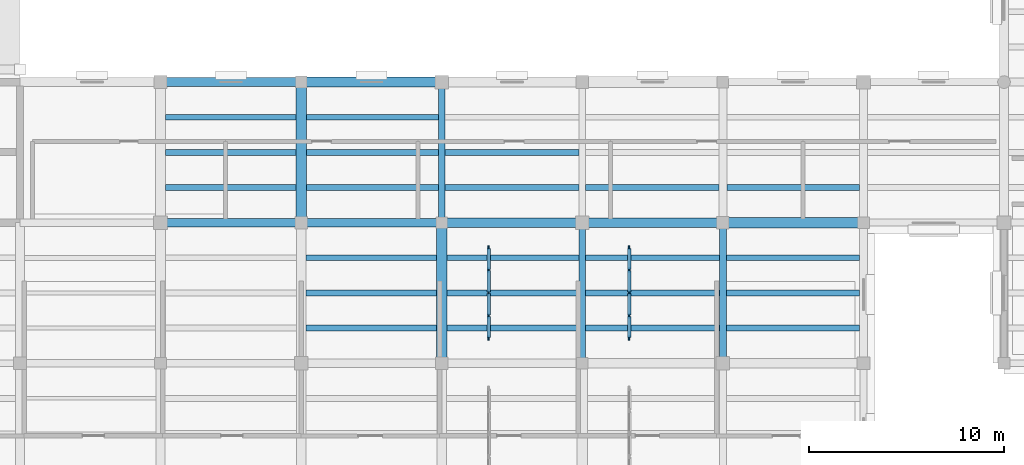
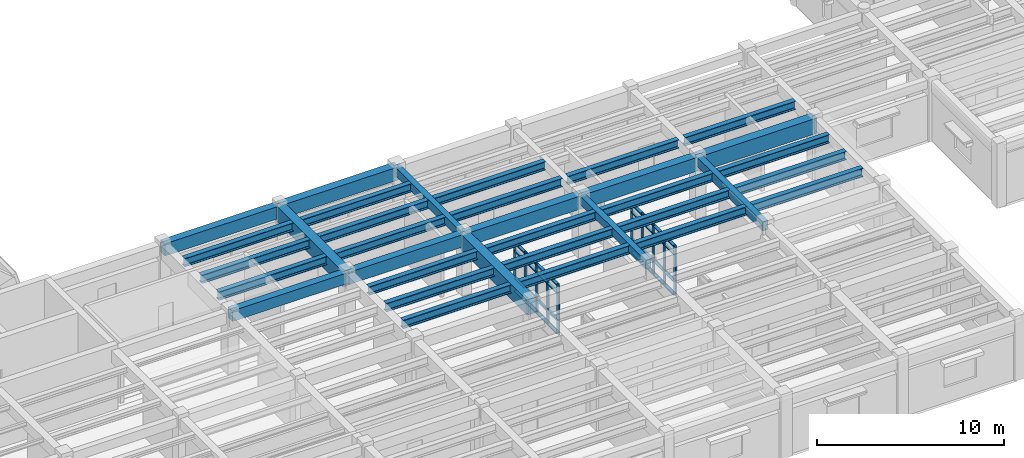
# One storey, part 9 of 66: 42 members, 34 beams, 2 elements without a shape of their own.
"""IFC4 building model written with IfcOpenShell, lengths in metres."""

import ifcopenshell
import ifcopenshell.guid

model = None  # the IFC model being written
_history = None  # IfcOwnerHistory: only IFC2X3 demands one
_inside = {}  # id of a spatial element -> (the spatial element, [elements in it])
_under = {}  # id of a project, library or spatial element -> (it, [spatial elements below it])
_declared = {}  # id of a project -> (the project, [libraries it declares])
_typed = {}  # id of a type object -> (the type object, [elements of that type])
_made_of = {}  # id of a material, layer set ... -> (it, [elements and type objects made of it])


def new_model(schema):
    """Start an empty IFC model of exactly this schema.

    Asked for "IFC4X3", IfcOpenShell would pick the latest addendum, in which some entities
    have other attributes; the version numbers below select the first issue.
    IFC2X3 requires an IfcOwnerHistory on every rooted entity: one is made here for all.
    """
    global model, _history
    if schema == "IFC4X3":
        model = ifcopenshell.file(schema_version=(4, 3, 0, 0))
    else:
        model = ifcopenshell.file(schema=schema)
    _inside.clear()
    _under.clear()
    _declared.clear()
    _typed.clear()
    _made_of.clear()
    _history = None
    if model.schema == "IFC2X3":
        org = make("IfcOrganization", Name="unknown")
        user = make(
            "IfcPersonAndOrganization",
            ThePerson=make("IfcPerson", FamilyName="unknown"),
            TheOrganization=org,
        )
        app = make(
            "IfcApplication",
            ApplicationDeveloper=org,
            Version="unknown",
            ApplicationFullName="unknown",
            ApplicationIdentifier="unknown",
        )
        _history = make(
            "IfcOwnerHistory",
            OwningUser=user,
            OwningApplication=app,
            ChangeAction="ADDED",
            CreationDate=0,
        )
    return model


def make(cls, **values):
    """One entity of the class cls with the attributes given. An attribute that is None is left unset."""
    return model.create_entity(
        cls, **{name: value for name, value in values.items() if value is not None}
    )


def rooted(cls, **values):
    """An entity with a GlobalId (a new one), such as an element, a storey or a relation."""
    return make(cls, GlobalId=ifcopenshell.guid.new(), OwnerHistory=_history, **values)


def si_unit(unit_type, name, prefix=None):
    """IfcSIUnit, for example si_unit("LENGTHUNIT", "METRE", prefix="MILLI")."""
    return make("IfcSIUnit", UnitType=unit_type, Prefix=prefix, Name=name)


def assignment(units):
    """IfcUnitAssignment: the units of a project."""
    return None if units is None else make("IfcUnitAssignment", Units=units)


def point(xyz):
    """IfcCartesianPoint."""
    return None if xyz is None else make("IfcCartesianPoint", Coordinates=xyz)


def direction(xyz):
    """IfcDirection."""
    return None if xyz is None else make("IfcDirection", DirectionRatios=xyz)


def frame(location, z_axis=None, x_axis=None):
    """IfcAxis2Placement3D, a coordinate frame: its origin and axes. An axis left out is left unset."""
    return make(
        "IfcAxis2Placement3D",
        Location=point(location),
        Axis=direction(z_axis),
        RefDirection=direction(x_axis),
    )


def frame_2d(location, x_axis=None):
    """IfcAxis2Placement2D, a coordinate frame in the plane: its origin and x axis."""
    return make(
        "IfcAxis2Placement2D", Location=point(location), RefDirection=direction(x_axis)
    )


def origin():
    """The frame at (0, 0, 0) with its axes left unset."""
    return frame((0.0, 0.0, 0.0))


def origin_2d():
    """The frame at (0, 0) in the plane with its x axis left unset."""
    return frame_2d((0.0, 0.0))


def place(relative_to, where):
    """IfcLocalPlacement: puts the frame where relative to a parent placement (None: the world)."""
    return make(
        "IfcLocalPlacement", PlacementRelTo=relative_to, RelativePlacement=where
    )


def context(
    kind, dimensions, precision=None, world=None, true_north=None, identifier=None
):
    """IfcGeometricRepresentationContext, for example the 3D "Model" context."""
    return make(
        "IfcGeometricRepresentationContext",
        ContextIdentifier=identifier,
        ContextType=kind,
        CoordinateSpaceDimension=dimensions,
        Precision=precision,
        WorldCoordinateSystem=world,
        TrueNorth=true_north,
    )


def subcontext(parent, identifier, kind, view, scale=None):
    """IfcGeometricRepresentationSubContext, for example "Body" below "Model"."""
    return make(
        "IfcGeometricRepresentationSubContext",
        ContextIdentifier=identifier,
        ContextType=kind,
        ParentContext=parent,
        TargetScale=scale,
        TargetView=view,
    )


def project(units=None, contexts=None):
    """IfcProject with its units and contexts."""
    return rooted(
        "IfcProject",
        Name="project",
        RepresentationContexts=contexts,
        UnitsInContext=assignment(units),
    )


def spatial(cls, under=None, at=None, **own):
    """A site, building, storey or space (cls), placed at a placement, below another one or the project."""
    s = rooted(cls, ObjectPlacement=at, **own)
    if under is not None:
        _under.setdefault(under.id(), (under, []))[1].append(s)
    return s


def profile(cls, at=None, kind="AREA", **sizes):
    """A parametric profile (cls). Its sizes go by their IFC names, for example OverallWidth=200.0."""
    return make(cls, ProfileType=kind, Position=at, **sizes)


def rectangle(**sizes):
    """IfcRectangleProfileDef."""
    return profile("IfcRectangleProfileDef", **sizes)


def i_section(**sizes):
    """IfcIShapeProfileDef."""
    return profile("IfcIShapeProfileDef", **sizes)


def extrude(swept, where, along, depth):
    """IfcExtrudedAreaSolid: the profile swept, set in the frame where, extruded along a direction by depth."""
    return make(
        "IfcExtrudedAreaSolid",
        SweptArea=swept,
        Position=where,
        ExtrudedDirection=direction(along),
        Depth=depth,
    )


def shape(context_of_items, identifier, shape_type, items):
    """IfcShapeRepresentation: the items that make up one representation, for example the "Body"."""
    return make(
        "IfcShapeRepresentation",
        ContextOfItems=context_of_items,
        RepresentationIdentifier=identifier,
        RepresentationType=shape_type,
        Items=items,
    )


def material(Name=None, Category=None):
    """IfcMaterial."""
    return make("IfcMaterial", Name=Name, Category=Category)


def material_profile(
    of_material, cross_section, Name=None, Category=None, Priority=None
):
    """IfcMaterialProfile: a cross section and its material."""
    return make(
        "IfcMaterialProfile",
        Name=Name,
        Material=of_material,
        Profile=cross_section,
        Priority=Priority,
        Category=Category,
    )


def profile_set(profiles, Name=None, composite=None):
    """IfcMaterialProfileSet."""
    return make(
        "IfcMaterialProfileSet",
        Name=Name,
        MaterialProfiles=profiles,
        CompositeProfile=composite,
    )


def made_of(thing, what):
    """Note that an element or type object is made of a material, layer set ...; save() writes the relation."""
    if what is not None:
        _made_of.setdefault(what.id(), (what, []))[1].append(thing)
    return thing


def type_object(cls, material=None, **own):
    """A type object (cls), such as IfcWallType, which elements share."""
    return made_of(rooted(cls, **own), material)


def element(
    cls,
    number,
    at=None,
    inside=None,
    cuts=None,
    type_object=None,
    material=None,
    context=None,
    identifier="Body",
    shape_type=None,
    held_by="IfcProductDefinitionShape",
    body=None,
    shapes=None,
    **own,
):
    """One element of the class cls, such as IfcWall. Its Tag is "e" and its number.

    at: its placement. inside: the storey or other place that contains it. cuts: it is an
    opening in that element (IfcRelVoidsElement). A single representation is given by context,
    identifier, shape_type and body (its items); several are given by shapes. held_by: the class
    of the entity that holds the representations. save() writes the other relations.
    """
    e = rooted(cls, Tag="e%d" % number, ObjectPlacement=at, **own)
    if body is not None:
        shapes = [shape(context, identifier, shape_type, body)]
    if shapes is not None:
        e.Representation = make(held_by, Representations=shapes)
    if inside is not None:
        _inside.setdefault(inside.id(), (inside, []))[1].append(e)
    if cuts is not None:
        rooted(
            "IfcRelVoidsElement", RelatingBuildingElement=cuts, RelatedOpeningElement=e
        )
    if type_object is not None:
        _typed.setdefault(type_object.id(), (type_object, []))[1].append(e)
    return made_of(e, material)


def aggregate(whole, parts):
    """IfcRelAggregates: a whole, such as a stair, and the parts it consists of."""
    return rooted("IfcRelAggregates", RelatingObject=whole, RelatedObjects=parts)


def save(model, path):
    """Write the relations noted so far, then the file.

    IfcRelAggregates (storeys below a building ...), IfcRelContainedInSpatialStructure (elements
    in a storey), IfcRelDefinesByType, IfcRelAssociatesMaterial and IfcRelDeclares: one each for
    every whole, place, type object, material and project.
    """
    for whole, parts in _under.values():
        aggregate(whole, parts)
    for where, things in _inside.values():
        rooted(
            "IfcRelContainedInSpatialStructure",
            RelatedElements=things,
            RelatingStructure=where,
        )
    for kind, things in _typed.values():
        rooted("IfcRelDefinesByType", RelatedObjects=things, RelatingType=kind)
    for what, things in _made_of.values():
        rooted("IfcRelAssociatesMaterial", RelatedObjects=things, RelatingMaterial=what)
    for by, libraries in _declared.values():
        rooted("IfcRelDeclares", RelatingContext=by, RelatedDefinitions=libraries)
    model.write(path)


model = new_model("IFC4")

# Units and contexts
model_context = context("Model", 3, precision=1e-05, world=origin(), true_north=direction((0.0, 1.0)))
body_context = subcontext(model_context, "Body", "Model", "MODEL_VIEW")
ifc_project = project(units=[si_unit("LENGTHUNIT", "METRE"), si_unit("AREAUNIT", "SQUARE_METRE"), si_unit("VOLUMEUNIT", "CUBIC_METRE"), si_unit("PLANEANGLEUNIT", "RADIAN"), si_unit("MASSUNIT", "GRAM", prefix="KILO")], contexts=[model_context])

# Site, building, storey
site_placement = place(None, origin())
site = spatial("IfcSite", under=ifc_project, at=site_placement, CompositionType="ELEMENT")
building_placement = place(site_placement, origin())
building = spatial("IfcBuilding", under=site, at=building_placement, Name="Mithqara Police Headquarters", CompositionType="ELEMENT")
storey_placement = place(building_placement, frame((0.0, 0.0, 9.60009765625)))
storey = spatial("IfcBuildingStorey", under=building, at=storey_placement, Name="L02", CompositionType="ELEMENT", Elevation=9.60009765625)

# Beams
ifc_material_1 = material(Name="Steel S355JR", Category="steel")
ifc_material_profile_1 = material_profile(ifc_material_1, i_section(OverallWidth=0.300048828125, OverallDepth=0.550048828125, WebThickness=0.014892578125, FlangeThickness=0.029052734375, FilletRadius=0.027099609375, at=origin_2d()), Name="HEB 550")
ifc_profile_set_1 = profile_set([ifc_material_profile_1], Name="Steel S355JR")
beam_type_1 = type_object("IfcBeamType", Name="BEAM HEB550", PredefinedType="BEAM", material=ifc_profile_set_1)
for number, where, z_axis, x_axis, name in (
    (1, (101.64990234375, 30.0, 3.664794921875), (1.0, 0.0, 0.0), (0.0, 1.0, 0.0), "L02 Composite Steel Joist 15-16/E.1"),
    (2, (101.64990234375, 31.800048828125, 3.664794921875), (1.0, 0.0, 0.0), (0.0, 1.0, 0.0), "L02 Composite Steel Joist 15-16/E.2"),
    (3, (101.64990234375, 33.60009765625, 3.664794921875), (1.0, 0.0, 0.0), (0.0, 1.0, 0.0), "L02 Composite Steel Joist 15-16/E.3"),
):
    element("IfcBeam", number, at=place(storey_placement, frame(where, z_axis=z_axis, x_axis=x_axis)), inside=storey, type_object=beam_type_1, Name=name, PredefinedType="BEAM", context=body_context, shape_type="SweptSolid", body=[
        extrude(i_section(OverallWidth=0.300048828125, OverallDepth=0.550048828125, WebThickness=0.014892578125, FlangeThickness=0.029052734375, FilletRadius=0.027099609375, at=origin_2d()), origin(), (0.0, 0.0, 1.0), 6.675048828125),
    ])
for number, where, z_axis, x_axis, name in (
    (4, (108.85009765625, 22.800048828125, 3.664794921875), (1.0, 0.0, 0.0), (0.0, 1.0, 0.0), "L02 Composite Steel Joist 16-17/D.1"),
    (5, (108.85009765625, 24.60009765625, 3.664794921875), (1.0, 0.0, 0.0), (0.0, 1.0, 0.0), "L02 Composite Steel Joist 16-17/D.2"),
    (6, (108.85009765625, 26.39990234375, 3.664794921875), (1.0, 0.0, 0.0), (0.0, 1.0, 0.0), "L02 Composite Steel Joist 16-17/D.3"),
):
    element("IfcBeam", number, at=place(storey_placement, frame(where, z_axis=z_axis, x_axis=x_axis)), inside=storey, type_object=beam_type_1, Name=name, PredefinedType="BEAM", context=body_context, shape_type="SweptSolid", body=[
        extrude(i_section(OverallWidth=0.300048828125, OverallDepth=0.550048828125, WebThickness=0.014892578125, FlangeThickness=0.029052734375, FilletRadius=0.027099609375, at=origin_2d()), origin(), (0.0, 0.0, 1.0), 6.6748046875),
    ])
for number, where, z_axis, x_axis, name in (
    (7, (108.875, 30.0, 3.664794921875), (1.0, 0.0, 0.0), (0.0, 1.0, 0.0), "L02 Composite Steel Joist 16-17/E.1"),
    (8, (108.875, 31.800048828125, 3.664794921875), (1.0, 0.0, 0.0), (0.0, 1.0, 0.0), "L02 Composite Steel Joist 16-17/E.2"),
    (9, (108.875, 33.60009765625, 3.664794921875), (1.0, 0.0, 0.0), (0.0, 1.0, 0.0), "L02 Composite Steel Joist 16-17/E.3"),
    (10, (116.074951171875, 22.800048828125, 3.664794921875), (1.0, 0.0, 0.0), (0.0, 1.0, 0.0), "L02 Composite Steel Joist 17-18/D.1"),
    (11, (116.074951171875, 24.60009765625, 3.664794921875), (1.0, 0.0, 0.0), (0.0, 1.0, 0.0), "L02 Composite Steel Joist 17-18/D.2"),
    (12, (116.074951171875, 26.39990234375, 3.664794921875), (1.0, 0.0, 0.0), (0.0, 1.0, 0.0), "L02 Composite Steel Joist 17-18/D.3"),
):
    element("IfcBeam", number, at=place(storey_placement, frame(where, z_axis=z_axis, x_axis=x_axis)), inside=storey, type_object=beam_type_1, Name=name, PredefinedType="BEAM", context=body_context, shape_type="SweptSolid", body=[
        extrude(i_section(OverallWidth=0.300048828125, OverallDepth=0.550048828125, WebThickness=0.014892578125, FlangeThickness=0.029052734375, FilletRadius=0.027099609375, at=origin_2d()), origin(), (0.0, 0.0, 1.0), 6.75),
    ])
for number, where, z_axis, x_axis, name in (
    (13, (115.97509765625, 30.0, 3.664794921875), (1.0, 0.0, 0.0), (0.0, 1.0, 0.0), "L02 Composite Steel Joist 17-18/E.1"),
    (14, (115.97509765625, 31.800048828125, 3.664794921875), (1.0, 0.0, 0.0), (0.0, 1.0, 0.0), "L02 Composite Steel Joist 17-18/E.2"),
    (15, (123.175048828125, 22.800048828125, 3.664794921875), (1.0, 0.0, 0.0), (0.0, 1.0, 0.0), "L02 Composite Steel Joist 18-19/D.1"),
    (16, (123.175048828125, 24.60009765625, 3.664794921875), (1.0, 0.0, 0.0), (0.0, 1.0, 0.0), "L02 Composite Steel Joist 18-19/D.2"),
    (17, (123.175048828125, 26.39990234375, 3.664794921875), (1.0, 0.0, 0.0), (0.0, 1.0, 0.0), "L02 Composite Steel Joist 18-19/D.3"),
):
    element("IfcBeam", number, at=place(storey_placement, frame(where, z_axis=z_axis, x_axis=x_axis)), inside=storey, type_object=beam_type_1, Name=name, PredefinedType="BEAM", context=body_context, shape_type="SweptSolid", body=[
        extrude(i_section(OverallWidth=0.300048828125, OverallDepth=0.550048828125, WebThickness=0.014892578125, FlangeThickness=0.029052734375, FilletRadius=0.027099609375, at=origin_2d()), origin(), (0.0, 0.0, 1.0), 6.849853515625),
    ])
for number, where, z_axis, x_axis, name in (
    (18, (123.175048828125, 30.0, 3.664794921875), (1.0, 0.0, 0.0), (0.0, 1.0, 0.0), "L02 Composite Steel Joist 18-19/E.1"),
    (19, (130.375, 22.800048828125, 3.664794921875), (1.0, 0.0, 0.0), (0.0, 1.0, 0.0), "L02 Composite Steel Joist 19-20/D.1"),
    (20, (130.375, 24.60009765625, 3.664794921875), (1.0, 0.0, 0.0), (0.0, 1.0, 0.0), "L02 Composite Steel Joist 19-20/D.2"),
    (21, (130.375, 26.39990234375, 3.664794921875), (1.0, 0.0, 0.0), (0.0, 1.0, 0.0), "L02 Composite Steel Joist 19-20/D.3"),
):
    element("IfcBeam", number, at=place(storey_placement, frame(where, z_axis=z_axis, x_axis=x_axis)), inside=storey, type_object=beam_type_1, Name=name, PredefinedType="BEAM", context=body_context, shape_type="SweptSolid", body=[
        extrude(i_section(OverallWidth=0.300048828125, OverallDepth=0.550048828125, WebThickness=0.014892578125, FlangeThickness=0.029052734375, FilletRadius=0.027099609375, at=origin_2d()), origin(), (0.0, 0.0, 1.0), 6.824951171875),
    ])
beam_1_placement = place(storey_placement, frame((130.39990234375, 30.0, 3.664794921875), z_axis=(1.0, 0.0, 0.0), x_axis=(0.0, 1.0, 0.0)))
element("IfcBeam", 22, at=beam_1_placement, inside=storey, type_object=beam_type_1, Name="L02 Composite Steel Joist 19-20/E.1", PredefinedType="BEAM", context=body_context, shape_type="SweptSolid", body=[
    extrude(i_section(OverallWidth=0.300048828125, OverallDepth=0.550048828125, WebThickness=0.014892578125, FlangeThickness=0.029052734375, FilletRadius=0.027099609375, at=origin_2d()), origin(), (0.0, 0.0, 1.0), 6.800048828125),
])
ifc_material_2 = material(Name="Concrete C40/50", Category="concrete")
ifc_material_profile_2 = material_profile(ifc_material_2, rectangle(XDim=0.35009765625, YDim=0.550048828125, at=origin_2d()), Name="RC 350x550")
ifc_profile_set_2 = profile_set([ifc_material_profile_2], Name="Concrete C40/50")
beam_type_2 = type_object("IfcBeamType", Name="BEAM RC350X550", PredefinedType="BEAM", material=ifc_profile_set_2)
for number, where, z_axis, x_axis, name in (
    (23, (115.800048828125, 28.199951171875, 3.664794921875), (0.0, 1.0, 0.0), (-1.0, 0.0, 0.0), "L02 Girder 17/E-F"),
    (24, (123.0, 21.0, 3.664794921875), (0.0, 1.0, 0.0), (-1.0, 0.0, 0.0), "L02 Girder 18/D-E"),
):
    element("IfcBeam", number, at=place(storey_placement, frame(where, z_axis=z_axis, x_axis=x_axis)), inside=storey, type_object=beam_type_2, Name=name, PredefinedType="BEAM", context=body_context, shape_type="SweptSolid", body=[
        extrude(rectangle(XDim=0.35009765625, YDim=0.550048828125, at=origin_2d()), origin(), (0.0, 0.0, 1.0), 7.199951171875),
    ])
ifc_material_profile_3 = material_profile(ifc_material_2, rectangle(XDim=0.35009765625, YDim=0.60009765625, at=origin_2d()), Name="RC 350x600")
ifc_profile_set_3 = profile_set([ifc_material_profile_3], Name="Concrete C40/50")
beam_type_3 = type_object("IfcBeamType", Name="BEAM RC350X600", PredefinedType="BEAM", material=ifc_profile_set_3)
beam_2_placement = place(storey_placement, frame((130.199951171875, 21.0, 3.639892578125), z_axis=(0.0, 1.0, 0.0), x_axis=(-1.0, 0.0, 0.0)))
element("IfcBeam", 25, at=beam_2_placement, inside=storey, type_object=beam_type_3, Name="L02 Girder 19/D-E", PredefinedType="BEAM", context=body_context, shape_type="SweptSolid", body=[
    extrude(rectangle(XDim=0.35009765625, YDim=0.60009765625, at=origin_2d()), origin(), (0.0, 0.0, 1.0), 7.199951171875),
])
ifc_material_profile_4 = material_profile(ifc_material_2, rectangle(XDim=0.449951171875, YDim=0.699951171875, at=origin_2d()), Name="RC 450x700")
ifc_profile_set_4 = profile_set([ifc_material_profile_4], Name="Concrete C40/50")
beam_type_4 = type_object("IfcBeamType", Name="BEAM RC450X700", PredefinedType="BEAM", material=ifc_profile_set_4)
beam_3_placement = place(storey_placement, frame((101.39990234375, 28.199951171875, 3.58984375), z_axis=(1.0, 0.0, 0.0), x_axis=(0.0, 1.0, 0.0)))
element("IfcBeam", 26, at=beam_3_placement, inside=storey, type_object=beam_type_4, Name="L02 Girder 15-16/E", PredefinedType="BEAM", context=body_context, shape_type="SweptSolid", body=[
    extrude(rectangle(XDim=0.449951171875, YDim=0.699951171875, at=origin_2d()), origin(), (0.0, 0.0, 1.0), 7.2001953125),
])
ifc_material_profile_5 = material_profile(ifc_material_2, rectangle(XDim=0.449951171875, YDim=0.800048828125, at=origin_2d()), Name="RC 450x800")
ifc_profile_set_5 = profile_set([ifc_material_profile_5], Name="Concrete C40/50")
beam_type_5 = type_object("IfcBeamType", Name="BEAM RC450X800", PredefinedType="BEAM", material=ifc_profile_set_5)
beam_4_placement = place(storey_placement, frame((101.39990234375, 35.39990234375, 3.539794921875), z_axis=(1.0, 0.0, 0.0), x_axis=(0.0, 1.0, 0.0)))
element("IfcBeam", 27, at=beam_4_placement, inside=storey, type_object=beam_type_5, Name="L02 Girder 15-16/F", PredefinedType="BEAM", context=body_context, shape_type="SweptSolid", body=[
    extrude(rectangle(XDim=0.449951171875, YDim=0.800048828125, at=origin_2d()), origin(), (0.0, 0.0, 1.0), 7.2001953125),
])
beam_5_placement = place(storey_placement, frame((108.60009765625, 28.199951171875, 3.539794921875), z_axis=(1.0, 0.0, 0.0), x_axis=(0.0, 1.0, 0.0)))
element("IfcBeam", 28, at=beam_5_placement, inside=storey, type_object=beam_type_5, Name="L02 Girder 16-17/E", PredefinedType="BEAM", context=body_context, shape_type="SweptSolid", body=[
    extrude(rectangle(XDim=0.449951171875, YDim=0.800048828125, at=origin_2d()), origin(), (0.0, 0.0, 1.0), 7.199951171875),
])
ifc_material_profile_6 = material_profile(ifc_material_2, rectangle(XDim=0.5, YDim=0.85009765625, at=origin_2d()), Name="RC 500x850")
ifc_profile_set_6 = profile_set([ifc_material_profile_6], Name="Concrete C40/50")
beam_type_6 = type_object("IfcBeamType", Name="BEAM RC500X850", PredefinedType="BEAM", material=ifc_profile_set_6)
for number, where, z_axis, x_axis, name in (
    (29, (108.60009765625, 35.39990234375, 3.514892578125), (1.0, 0.0, 0.0), (0.0, 1.0, 0.0), "L02 Girder 16-17/F"),
    (30, (115.800048828125, 28.199951171875, 3.514892578125), (1.0, 0.0, 0.0), (0.0, 1.0, 0.0), "L02 Girder 17-18/E"),
):
    element("IfcBeam", number, at=place(storey_placement, frame(where, z_axis=z_axis, x_axis=x_axis)), inside=storey, type_object=beam_type_6, Name=name, PredefinedType="BEAM", context=body_context, shape_type="SweptSolid", body=[
        extrude(rectangle(XDim=0.5, YDim=0.85009765625, at=origin_2d()), origin(), (0.0, 0.0, 1.0), 7.199951171875),
    ])
ifc_material_3 = material(Name="Concrete C50/60", Category="concrete")
ifc_material_profile_7 = material_profile(ifc_material_3, rectangle(XDim=0.5, YDim=0.89990234375, at=origin_2d()), Name="RC 500x900")
ifc_profile_set_7 = profile_set([ifc_material_profile_7], Name="Concrete C50/60")
beam_type_7 = type_object("IfcBeamType", Name="BEAM RC500X900", PredefinedType="BEAM", material=ifc_profile_set_7)
beam_6_placement = place(storey_placement, frame((123.0, 28.199951171875, 3.489990234375), z_axis=(1.0, 0.0, 0.0), x_axis=(0.0, 1.0, 0.0)))
element("IfcBeam", 31, at=beam_6_placement, inside=storey, type_object=beam_type_7, Name="L02 Girder 18-19/E", PredefinedType="BEAM", context=body_context, shape_type="SweptSolid", body=[
    extrude(rectangle(XDim=0.5, YDim=0.89990234375, at=origin_2d()), origin(), (0.0, 0.0, 1.0), 7.199951171875),
])
ifc_material_profile_8 = material_profile(ifc_material_3, rectangle(XDim=0.550048828125, YDim=1.0, at=origin_2d()), Name="RC 550x1000")
ifc_profile_set_8 = profile_set([ifc_material_profile_8], Name="Concrete C50/60")
beam_type_8 = type_object("IfcBeamType", Name="BEAM RC550X1000", PredefinedType="BEAM", material=ifc_profile_set_8)
for number, where, z_axis, x_axis, name in (
    (32, (108.60009765625, 28.199951171875, 3.43994140625), (0.0, 1.0, 0.0), (-1.0, 0.0, 0.0), "L02 Girder 16/E-F"),
    (33, (115.800048828125, 21.0, 3.43994140625), (0.0, 1.0, 0.0), (-1.0, 0.0, 0.0), "L02 Girder 17/D-E"),
    (34, (130.199951171875, 28.199951171875, 3.43994140625), (1.0, 0.0, 0.0), (0.0, 1.0, 0.0), "L02 Girder 19-20/E"),
):
    element("IfcBeam", number, at=place(storey_placement, frame(where, z_axis=z_axis, x_axis=x_axis)), inside=storey, type_object=beam_type_8, Name=name, PredefinedType="BEAM", context=body_context, shape_type="SweptSolid", body=[
        extrude(rectangle(XDim=0.550048828125, YDim=1.0, at=origin_2d()), origin(), (0.0, 0.0, 1.0), 7.199951171875),
    ])

# Curtain wall, members
ifc_material_4 = material(Name="Bronze anodised aluminium 6063-T6", Category="aluminium")
curtain_wall_type = type_object("IfcCurtainWallType", Name="CURTAIN WALL 4700X3220", PredefinedType="USERDEFINED", material=ifc_material_4)
curtain_wall_1_placement = place(storey_placement, origin())
curtain_wall_1 = element("IfcCurtainWall", 35, at=curtain_wall_1_placement, inside=storey, type_object=curtain_wall_type, Name="L02 Unitised Glazing CW-16 (CW-INT-L02-X16-Y03-0)", ObjectType="UNITISED GLAZING", PredefinedType="USERDEFINED")
ifc_material_profile_9 = material_profile(ifc_material_4, rectangle(XDim=0.074951171875, YDim=0.219970703125, at=origin_2d()), Name="CWM 75x220")
ifc_profile_set_9 = profile_set([ifc_material_profile_9], Name="Bronze anodised aluminium 6063-T6")
member_type_1 = type_object("IfcMemberType", Name="CWMULLION 75X220", PredefinedType="MULLION", material=ifc_profile_set_9)
member_1_placement = place(storey_placement, frame((118.199951171875, 22.28759765625, 0.0), z_axis=(0.0, 0.0, 1.0), x_axis=(-1.0, 0.0, 0.0)))
member_1 = element("IfcMember", 36, at=member_1_placement, type_object=member_type_1, Name="CW-16 mullion 1", PredefinedType="MULLION", context=body_context, shape_type="SweptSolid", body=[
    extrude(rectangle(XDim=0.074951171875, YDim=0.219970703125, at=origin_2d()), origin(), (0.0, 0.0, 1.0), 3.219970703125),
])
member_2_placement = place(storey_placement, frame((118.199951171875, 23.425048828125, 0.0), z_axis=(0.0, 0.0, 1.0), x_axis=(-1.0, 0.0, 0.0)))
member_2 = element("IfcMember", 37, at=member_2_placement, type_object=member_type_1, Name="CW-16 mullion 2", PredefinedType="MULLION", context=body_context, shape_type="SweptSolid", body=[
    extrude(rectangle(XDim=0.074951171875, YDim=0.219970703125, at=origin_2d()), origin(), (0.0, 0.0, 1.0), 3.219970703125),
])
member_3_placement = place(storey_placement, frame((118.199951171875, 24.60009765625, 0.0), z_axis=(0.0, 0.0, 1.0), x_axis=(-1.0, 0.0, 0.0)))
member_3 = element("IfcMember", 38, at=member_3_placement, type_object=member_type_1, Name="CW-16 mullion 3", PredefinedType="MULLION", context=body_context, shape_type="SweptSolid", body=[
    extrude(rectangle(XDim=0.074951171875, YDim=0.219970703125, at=origin_2d()), origin(), (0.0, 0.0, 1.0), 3.219970703125),
])
member_4_placement = place(storey_placement, frame((118.199951171875, 25.77490234375, 0.0), z_axis=(0.0, 0.0, 1.0), x_axis=(-1.0, 0.0, 0.0)))
member_4 = element("IfcMember", 39, at=member_4_placement, type_object=member_type_1, Name="CW-16 mullion 4", PredefinedType="MULLION", context=body_context, shape_type="SweptSolid", body=[
    extrude(rectangle(XDim=0.074951171875, YDim=0.219970703125, at=origin_2d()), origin(), (0.0, 0.0, 1.0), 3.219970703125),
])
member_5_placement = place(storey_placement, frame((118.199951171875, 26.91259765625, 0.0), z_axis=(0.0, 0.0, 1.0), x_axis=(-1.0, 0.0, 0.0)))
member_5 = element("IfcMember", 40, at=member_5_placement, type_object=member_type_1, Name="CW-16 mullion 5", PredefinedType="MULLION", context=body_context, shape_type="SweptSolid", body=[
    extrude(rectangle(XDim=0.074951171875, YDim=0.219970703125, at=origin_2d()), origin(), (0.0, 0.0, 1.0), 3.219970703125),
])

curtain_wall_2_placement = place(storey_placement, origin())
curtain_wall_2 = element("IfcCurtainWall", 41, at=curtain_wall_2_placement, inside=storey, type_object=curtain_wall_type, Name="L02 Unitised Glazing CW-16 (CW-INT-L02-X17-Y03-0)", ObjectType="UNITISED GLAZING", PredefinedType="USERDEFINED")
member_6_placement = place(storey_placement, frame((125.39990234375, 22.28759765625, 0.0), z_axis=(0.0, 0.0, 1.0), x_axis=(-1.0, 0.0, 0.0)))
member_6 = element("IfcMember", 42, at=member_6_placement, type_object=member_type_1, Name="CW-16 mullion 1", PredefinedType="MULLION", context=body_context, shape_type="SweptSolid", body=[
    extrude(rectangle(XDim=0.074951171875, YDim=0.219970703125, at=origin_2d()), origin(), (0.0, 0.0, 1.0), 3.219970703125),
])
member_7_placement = place(storey_placement, frame((125.39990234375, 23.425048828125, 0.0), z_axis=(0.0, 0.0, 1.0), x_axis=(-1.0, 0.0, 0.0)))
member_7 = element("IfcMember", 43, at=member_7_placement, type_object=member_type_1, Name="CW-16 mullion 2", PredefinedType="MULLION", context=body_context, shape_type="SweptSolid", body=[
    extrude(rectangle(XDim=0.074951171875, YDim=0.219970703125, at=origin_2d()), origin(), (0.0, 0.0, 1.0), 3.219970703125),
])
member_8_placement = place(storey_placement, frame((125.39990234375, 24.60009765625, 0.0), z_axis=(0.0, 0.0, 1.0), x_axis=(-1.0, 0.0, 0.0)))
member_8 = element("IfcMember", 44, at=member_8_placement, type_object=member_type_1, Name="CW-16 mullion 3", PredefinedType="MULLION", context=body_context, shape_type="SweptSolid", body=[
    extrude(rectangle(XDim=0.074951171875, YDim=0.219970703125, at=origin_2d()), origin(), (0.0, 0.0, 1.0), 3.219970703125),
])
member_9_placement = place(storey_placement, frame((125.39990234375, 25.77490234375, 0.0), z_axis=(0.0, 0.0, 1.0), x_axis=(-1.0, 0.0, 0.0)))
member_9 = element("IfcMember", 45, at=member_9_placement, type_object=member_type_1, Name="CW-16 mullion 4", PredefinedType="MULLION", context=body_context, shape_type="SweptSolid", body=[
    extrude(rectangle(XDim=0.074951171875, YDim=0.219970703125, at=origin_2d()), origin(), (0.0, 0.0, 1.0), 3.219970703125),
])
member_10_placement = place(storey_placement, frame((125.39990234375, 26.91259765625, 0.0), z_axis=(0.0, 0.0, 1.0), x_axis=(-1.0, 0.0, 0.0)))
member_10 = element("IfcMember", 46, at=member_10_placement, type_object=member_type_1, Name="CW-16 mullion 5", PredefinedType="MULLION", context=body_context, shape_type="SweptSolid", body=[
    extrude(rectangle(XDim=0.074951171875, YDim=0.219970703125, at=origin_2d()), origin(), (0.0, 0.0, 1.0), 3.219970703125),
])

# Member
ifc_material_profile_10 = material_profile(ifc_material_4, rectangle(XDim=0.179931640625, YDim=0.074951171875, at=origin_2d()), Name="CWT 180x75")
ifc_profile_set_10 = profile_set([ifc_material_profile_10], Name="Bronze anodised aluminium 6063-T6")
member_type_2 = type_object("IfcMemberType", Name="CWTRANSOM 180X75", PredefinedType="USERDEFINED", material=ifc_profile_set_10)
member_11_placement = place(storey_placement, frame((118.199951171875, 22.324951171875, 0.037353515625), z_axis=(0.0, 1.0, 0.0), x_axis=(-1.0, 0.0, 0.0)))
member_11 = element("IfcMember", 47, at=member_11_placement, type_object=member_type_2, Name="CW-16 transom 1.1", ObjectType="TRANSOM", PredefinedType="USERDEFINED", context=body_context, shape_type="SweptSolid", body=[
    extrude(rectangle(XDim=0.179931640625, YDim=0.074951171875, at=origin_2d()), origin(), (0.0, 0.0, 1.0), 1.0625),
])

member_12_placement = place(storey_placement, frame((118.199951171875, 22.324951171875, 0.89990234375), z_axis=(0.0, 1.0, 0.0), x_axis=(-1.0, 0.0, 0.0)))
member_12 = element("IfcMember", 48, at=member_12_placement, type_object=member_type_2, Name="CW-16 transom 1.2", ObjectType="TRANSOM", PredefinedType="USERDEFINED", context=body_context, shape_type="SweptSolid", body=[
    extrude(rectangle(XDim=0.179931640625, YDim=0.074951171875, at=origin_2d()), origin(), (0.0, 0.0, 1.0), 1.0625),
])

member_13_placement = place(storey_placement, frame((118.199951171875, 22.324951171875, 2.669921875), z_axis=(0.0, 1.0, 0.0), x_axis=(-1.0, 0.0, 0.0)))
member_13 = element("IfcMember", 49, at=member_13_placement, type_object=member_type_2, Name="CW-16 transom 1.3", ObjectType="TRANSOM", PredefinedType="USERDEFINED", context=body_context, shape_type="SweptSolid", body=[
    extrude(rectangle(XDim=0.179931640625, YDim=0.074951171875, at=origin_2d()), origin(), (0.0, 0.0, 1.0), 1.0625),
])

member_14_placement = place(storey_placement, frame((118.199951171875, 22.324951171875, 3.182373046875), z_axis=(0.0, 1.0, 0.0), x_axis=(-1.0, 0.0, 0.0)))
member_14 = element("IfcMember", 50, at=member_14_placement, type_object=member_type_2, Name="CW-16 transom 1.4", ObjectType="TRANSOM", PredefinedType="USERDEFINED", context=body_context, shape_type="SweptSolid", body=[
    extrude(rectangle(XDim=0.179931640625, YDim=0.074951171875, at=origin_2d()), origin(), (0.0, 0.0, 1.0), 1.0625),
])

member_15_placement = place(storey_placement, frame((118.199951171875, 23.46240234375, 0.037353515625), z_axis=(0.0, 1.0, 0.0), x_axis=(-1.0, 0.0, 0.0)))
member_15 = element("IfcMember", 51, at=member_15_placement, type_object=member_type_2, Name="CW-16 transom 2.1", ObjectType="TRANSOM", PredefinedType="USERDEFINED", context=body_context, shape_type="SweptSolid", body=[
    extrude(rectangle(XDim=0.179931640625, YDim=0.074951171875, at=origin_2d()), origin(), (0.0, 0.0, 1.0), 1.10009765625),
])

member_16_placement = place(storey_placement, frame((118.199951171875, 23.46240234375, 0.89990234375), z_axis=(0.0, 1.0, 0.0), x_axis=(-1.0, 0.0, 0.0)))
member_16 = element("IfcMember", 52, at=member_16_placement, type_object=member_type_2, Name="CW-16 transom 2.2", ObjectType="TRANSOM", PredefinedType="USERDEFINED", context=body_context, shape_type="SweptSolid", body=[
    extrude(rectangle(XDim=0.179931640625, YDim=0.074951171875, at=origin_2d()), origin(), (0.0, 0.0, 1.0), 1.10009765625),
])

member_17_placement = place(storey_placement, frame((118.199951171875, 23.46240234375, 2.669921875), z_axis=(0.0, 1.0, 0.0), x_axis=(-1.0, 0.0, 0.0)))
member_17 = element("IfcMember", 53, at=member_17_placement, type_object=member_type_2, Name="CW-16 transom 2.3", ObjectType="TRANSOM", PredefinedType="USERDEFINED", context=body_context, shape_type="SweptSolid", body=[
    extrude(rectangle(XDim=0.179931640625, YDim=0.074951171875, at=origin_2d()), origin(), (0.0, 0.0, 1.0), 1.10009765625),
])

member_18_placement = place(storey_placement, frame((118.199951171875, 23.46240234375, 3.182373046875), z_axis=(0.0, 1.0, 0.0), x_axis=(-1.0, 0.0, 0.0)))
member_18 = element("IfcMember", 54, at=member_18_placement, type_object=member_type_2, Name="CW-16 transom 2.4", ObjectType="TRANSOM", PredefinedType="USERDEFINED", context=body_context, shape_type="SweptSolid", body=[
    extrude(rectangle(XDim=0.179931640625, YDim=0.074951171875, at=origin_2d()), origin(), (0.0, 0.0, 1.0), 1.10009765625),
])

member_19_placement = place(storey_placement, frame((118.199951171875, 24.637451171875, 0.037353515625), z_axis=(0.0, 1.0, 0.0), x_axis=(-1.0, 0.0, 0.0)))
member_19 = element("IfcMember", 55, at=member_19_placement, type_object=member_type_2, Name="CW-16 transom 3.1", ObjectType="TRANSOM", PredefinedType="USERDEFINED", context=body_context, shape_type="SweptSolid", body=[
    extrude(rectangle(XDim=0.179931640625, YDim=0.074951171875, at=origin_2d()), origin(), (0.0, 0.0, 1.0), 1.10009765625),
])

member_20_placement = place(storey_placement, frame((118.199951171875, 24.637451171875, 0.89990234375), z_axis=(0.0, 1.0, 0.0), x_axis=(-1.0, 0.0, 0.0)))
member_20 = element("IfcMember", 56, at=member_20_placement, type_object=member_type_2, Name="CW-16 transom 3.2", ObjectType="TRANSOM", PredefinedType="USERDEFINED", context=body_context, shape_type="SweptSolid", body=[
    extrude(rectangle(XDim=0.179931640625, YDim=0.074951171875, at=origin_2d()), origin(), (0.0, 0.0, 1.0), 1.10009765625),
])

member_21_placement = place(storey_placement, frame((118.199951171875, 24.637451171875, 2.669921875), z_axis=(0.0, 1.0, 0.0), x_axis=(-1.0, 0.0, 0.0)))
member_21 = element("IfcMember", 57, at=member_21_placement, type_object=member_type_2, Name="CW-16 transom 3.3", ObjectType="TRANSOM", PredefinedType="USERDEFINED", context=body_context, shape_type="SweptSolid", body=[
    extrude(rectangle(XDim=0.179931640625, YDim=0.074951171875, at=origin_2d()), origin(), (0.0, 0.0, 1.0), 1.10009765625),
])

member_22_placement = place(storey_placement, frame((118.199951171875, 24.637451171875, 3.182373046875), z_axis=(0.0, 1.0, 0.0), x_axis=(-1.0, 0.0, 0.0)))
member_22 = element("IfcMember", 58, at=member_22_placement, type_object=member_type_2, Name="CW-16 transom 3.4", ObjectType="TRANSOM", PredefinedType="USERDEFINED", context=body_context, shape_type="SweptSolid", body=[
    extrude(rectangle(XDim=0.179931640625, YDim=0.074951171875, at=origin_2d()), origin(), (0.0, 0.0, 1.0), 1.10009765625),
])

member_23_placement = place(storey_placement, frame((118.199951171875, 25.8125, 0.037353515625), z_axis=(0.0, 1.0, 0.0), x_axis=(-1.0, 0.0, 0.0)))
member_23 = element("IfcMember", 59, at=member_23_placement, type_object=member_type_2, Name="CW-16 transom 4.1", ObjectType="TRANSOM", PredefinedType="USERDEFINED", context=body_context, shape_type="SweptSolid", body=[
    extrude(rectangle(XDim=0.179931640625, YDim=0.074951171875, at=origin_2d()), origin(), (0.0, 0.0, 1.0), 1.0625),
])

member_24_placement = place(storey_placement, frame((118.199951171875, 25.8125, 0.89990234375), z_axis=(0.0, 1.0, 0.0), x_axis=(-1.0, 0.0, 0.0)))
member_24 = element("IfcMember", 60, at=member_24_placement, type_object=member_type_2, Name="CW-16 transom 4.2", ObjectType="TRANSOM", PredefinedType="USERDEFINED", context=body_context, shape_type="SweptSolid", body=[
    extrude(rectangle(XDim=0.179931640625, YDim=0.074951171875, at=origin_2d()), origin(), (0.0, 0.0, 1.0), 1.0625),
])

member_25_placement = place(storey_placement, frame((118.199951171875, 25.8125, 2.669921875), z_axis=(0.0, 1.0, 0.0), x_axis=(-1.0, 0.0, 0.0)))
member_25 = element("IfcMember", 61, at=member_25_placement, type_object=member_type_2, Name="CW-16 transom 4.3", ObjectType="TRANSOM", PredefinedType="USERDEFINED", context=body_context, shape_type="SweptSolid", body=[
    extrude(rectangle(XDim=0.179931640625, YDim=0.074951171875, at=origin_2d()), origin(), (0.0, 0.0, 1.0), 1.0625),
])

member_26_placement = place(storey_placement, frame((118.199951171875, 25.8125, 3.182373046875), z_axis=(0.0, 1.0, 0.0), x_axis=(-1.0, 0.0, 0.0)))
member_26 = element("IfcMember", 62, at=member_26_placement, type_object=member_type_2, Name="CW-16 transom 4.4", ObjectType="TRANSOM", PredefinedType="USERDEFINED", context=body_context, shape_type="SweptSolid", body=[
    extrude(rectangle(XDim=0.179931640625, YDim=0.074951171875, at=origin_2d()), origin(), (0.0, 0.0, 1.0), 1.0625),
])

aggregate(curtain_wall_1, [member_1, member_2, member_3, member_4, member_5, member_11, member_12, member_13, member_14, member_15, member_16, member_17, member_18, member_19, member_20, member_21, member_22, member_23, member_24, member_25, member_26])

member_27_placement = place(storey_placement, frame((125.39990234375, 22.324951171875, 0.037353515625), z_axis=(0.0, 1.0, 0.0), x_axis=(-1.0, 0.0, 0.0)))
member_27 = element("IfcMember", 63, at=member_27_placement, type_object=member_type_2, Name="CW-16 transom 1.1", ObjectType="TRANSOM", PredefinedType="USERDEFINED", context=body_context, shape_type="SweptSolid", body=[
    extrude(rectangle(XDim=0.179931640625, YDim=0.074951171875, at=origin_2d()), origin(), (0.0, 0.0, 1.0), 1.0625),
])

member_28_placement = place(storey_placement, frame((125.39990234375, 22.324951171875, 0.89990234375), z_axis=(0.0, 1.0, 0.0), x_axis=(-1.0, 0.0, 0.0)))
member_28 = element("IfcMember", 64, at=member_28_placement, type_object=member_type_2, Name="CW-16 transom 1.2", ObjectType="TRANSOM", PredefinedType="USERDEFINED", context=body_context, shape_type="SweptSolid", body=[
    extrude(rectangle(XDim=0.179931640625, YDim=0.074951171875, at=origin_2d()), origin(), (0.0, 0.0, 1.0), 1.0625),
])

member_29_placement = place(storey_placement, frame((125.39990234375, 22.324951171875, 2.669921875), z_axis=(0.0, 1.0, 0.0), x_axis=(-1.0, 0.0, 0.0)))
member_29 = element("IfcMember", 65, at=member_29_placement, type_object=member_type_2, Name="CW-16 transom 1.3", ObjectType="TRANSOM", PredefinedType="USERDEFINED", context=body_context, shape_type="SweptSolid", body=[
    extrude(rectangle(XDim=0.179931640625, YDim=0.074951171875, at=origin_2d()), origin(), (0.0, 0.0, 1.0), 1.0625),
])

member_30_placement = place(storey_placement, frame((125.39990234375, 22.324951171875, 3.182373046875), z_axis=(0.0, 1.0, 0.0), x_axis=(-1.0, 0.0, 0.0)))
member_30 = element("IfcMember", 66, at=member_30_placement, type_object=member_type_2, Name="CW-16 transom 1.4", ObjectType="TRANSOM", PredefinedType="USERDEFINED", context=body_context, shape_type="SweptSolid", body=[
    extrude(rectangle(XDim=0.179931640625, YDim=0.074951171875, at=origin_2d()), origin(), (0.0, 0.0, 1.0), 1.0625),
])

member_31_placement = place(storey_placement, frame((125.39990234375, 23.46240234375, 0.037353515625), z_axis=(0.0, 1.0, 0.0), x_axis=(-1.0, 0.0, 0.0)))
member_31 = element("IfcMember", 67, at=member_31_placement, type_object=member_type_2, Name="CW-16 transom 2.1", ObjectType="TRANSOM", PredefinedType="USERDEFINED", context=body_context, shape_type="SweptSolid", body=[
    extrude(rectangle(XDim=0.179931640625, YDim=0.074951171875, at=origin_2d()), origin(), (0.0, 0.0, 1.0), 1.10009765625),
])

member_32_placement = place(storey_placement, frame((125.39990234375, 23.46240234375, 0.89990234375), z_axis=(0.0, 1.0, 0.0), x_axis=(-1.0, 0.0, 0.0)))
member_32 = element("IfcMember", 68, at=member_32_placement, type_object=member_type_2, Name="CW-16 transom 2.2", ObjectType="TRANSOM", PredefinedType="USERDEFINED", context=body_context, shape_type="SweptSolid", body=[
    extrude(rectangle(XDim=0.179931640625, YDim=0.074951171875, at=origin_2d()), origin(), (0.0, 0.0, 1.0), 1.10009765625),
])

member_33_placement = place(storey_placement, frame((125.39990234375, 23.46240234375, 2.669921875), z_axis=(0.0, 1.0, 0.0), x_axis=(-1.0, 0.0, 0.0)))
member_33 = element("IfcMember", 69, at=member_33_placement, type_object=member_type_2, Name="CW-16 transom 2.3", ObjectType="TRANSOM", PredefinedType="USERDEFINED", context=body_context, shape_type="SweptSolid", body=[
    extrude(rectangle(XDim=0.179931640625, YDim=0.074951171875, at=origin_2d()), origin(), (0.0, 0.0, 1.0), 1.10009765625),
])

member_34_placement = place(storey_placement, frame((125.39990234375, 23.46240234375, 3.182373046875), z_axis=(0.0, 1.0, 0.0), x_axis=(-1.0, 0.0, 0.0)))
member_34 = element("IfcMember", 70, at=member_34_placement, type_object=member_type_2, Name="CW-16 transom 2.4", ObjectType="TRANSOM", PredefinedType="USERDEFINED", context=body_context, shape_type="SweptSolid", body=[
    extrude(rectangle(XDim=0.179931640625, YDim=0.074951171875, at=origin_2d()), origin(), (0.0, 0.0, 1.0), 1.10009765625),
])

member_35_placement = place(storey_placement, frame((125.39990234375, 24.637451171875, 0.037353515625), z_axis=(0.0, 1.0, 0.0), x_axis=(-1.0, 0.0, 0.0)))
member_35 = element("IfcMember", 71, at=member_35_placement, type_object=member_type_2, Name="CW-16 transom 3.1", ObjectType="TRANSOM", PredefinedType="USERDEFINED", context=body_context, shape_type="SweptSolid", body=[
    extrude(rectangle(XDim=0.179931640625, YDim=0.074951171875, at=origin_2d()), origin(), (0.0, 0.0, 1.0), 1.10009765625),
])

member_36_placement = place(storey_placement, frame((125.39990234375, 24.637451171875, 0.89990234375), z_axis=(0.0, 1.0, 0.0), x_axis=(-1.0, 0.0, 0.0)))
member_36 = element("IfcMember", 72, at=member_36_placement, type_object=member_type_2, Name="CW-16 transom 3.2", ObjectType="TRANSOM", PredefinedType="USERDEFINED", context=body_context, shape_type="SweptSolid", body=[
    extrude(rectangle(XDim=0.179931640625, YDim=0.074951171875, at=origin_2d()), origin(), (0.0, 0.0, 1.0), 1.10009765625),
])

member_37_placement = place(storey_placement, frame((125.39990234375, 24.637451171875, 2.669921875), z_axis=(0.0, 1.0, 0.0), x_axis=(-1.0, 0.0, 0.0)))
member_37 = element("IfcMember", 73, at=member_37_placement, type_object=member_type_2, Name="CW-16 transom 3.3", ObjectType="TRANSOM", PredefinedType="USERDEFINED", context=body_context, shape_type="SweptSolid", body=[
    extrude(rectangle(XDim=0.179931640625, YDim=0.074951171875, at=origin_2d()), origin(), (0.0, 0.0, 1.0), 1.10009765625),
])

member_38_placement = place(storey_placement, frame((125.39990234375, 24.637451171875, 3.182373046875), z_axis=(0.0, 1.0, 0.0), x_axis=(-1.0, 0.0, 0.0)))
member_38 = element("IfcMember", 74, at=member_38_placement, type_object=member_type_2, Name="CW-16 transom 3.4", ObjectType="TRANSOM", PredefinedType="USERDEFINED", context=body_context, shape_type="SweptSolid", body=[
    extrude(rectangle(XDim=0.179931640625, YDim=0.074951171875, at=origin_2d()), origin(), (0.0, 0.0, 1.0), 1.10009765625),
])

member_39_placement = place(storey_placement, frame((125.39990234375, 25.8125, 0.037353515625), z_axis=(0.0, 1.0, 0.0), x_axis=(-1.0, 0.0, 0.0)))
member_39 = element("IfcMember", 75, at=member_39_placement, type_object=member_type_2, Name="CW-16 transom 4.1", ObjectType="TRANSOM", PredefinedType="USERDEFINED", context=body_context, shape_type="SweptSolid", body=[
    extrude(rectangle(XDim=0.179931640625, YDim=0.074951171875, at=origin_2d()), origin(), (0.0, 0.0, 1.0), 1.0625),
])

member_40_placement = place(storey_placement, frame((125.39990234375, 25.8125, 0.89990234375), z_axis=(0.0, 1.0, 0.0), x_axis=(-1.0, 0.0, 0.0)))
member_40 = element("IfcMember", 76, at=member_40_placement, type_object=member_type_2, Name="CW-16 transom 4.2", ObjectType="TRANSOM", PredefinedType="USERDEFINED", context=body_context, shape_type="SweptSolid", body=[
    extrude(rectangle(XDim=0.179931640625, YDim=0.074951171875, at=origin_2d()), origin(), (0.0, 0.0, 1.0), 1.0625),
])

member_41_placement = place(storey_placement, frame((125.39990234375, 25.8125, 2.669921875), z_axis=(0.0, 1.0, 0.0), x_axis=(-1.0, 0.0, 0.0)))
member_41 = element("IfcMember", 77, at=member_41_placement, type_object=member_type_2, Name="CW-16 transom 4.3", ObjectType="TRANSOM", PredefinedType="USERDEFINED", context=body_context, shape_type="SweptSolid", body=[
    extrude(rectangle(XDim=0.179931640625, YDim=0.074951171875, at=origin_2d()), origin(), (0.0, 0.0, 1.0), 1.0625),
])

member_42_placement = place(storey_placement, frame((125.39990234375, 25.8125, 3.182373046875), z_axis=(0.0, 1.0, 0.0), x_axis=(-1.0, 0.0, 0.0)))
member_42 = element("IfcMember", 78, at=member_42_placement, type_object=member_type_2, Name="CW-16 transom 4.4", ObjectType="TRANSOM", PredefinedType="USERDEFINED", context=body_context, shape_type="SweptSolid", body=[
    extrude(rectangle(XDim=0.179931640625, YDim=0.074951171875, at=origin_2d()), origin(), (0.0, 0.0, 1.0), 1.0625),
])

aggregate(curtain_wall_2, [member_6, member_7, member_8, member_9, member_10, member_27, member_28, member_29, member_30, member_31, member_32, member_33, member_34, member_35, member_36, member_37, member_38, member_39, member_40, member_41, member_42])

save(model, "model.ifc")
